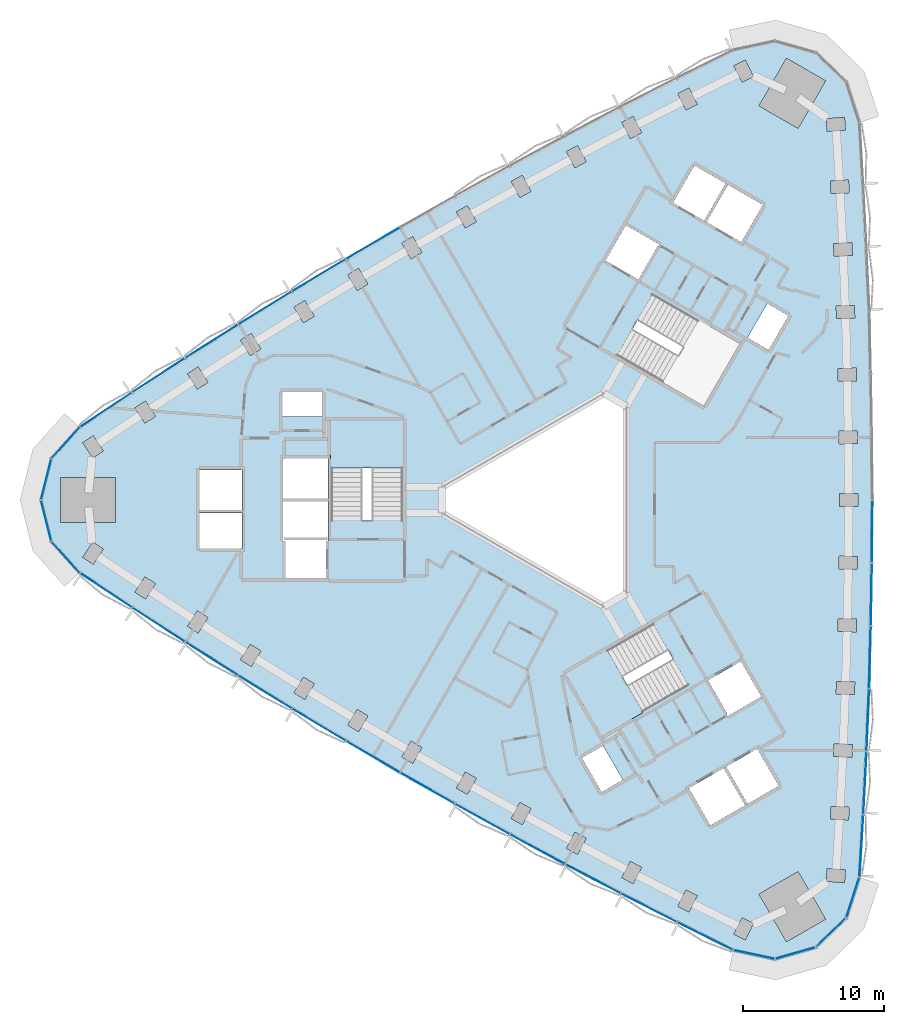
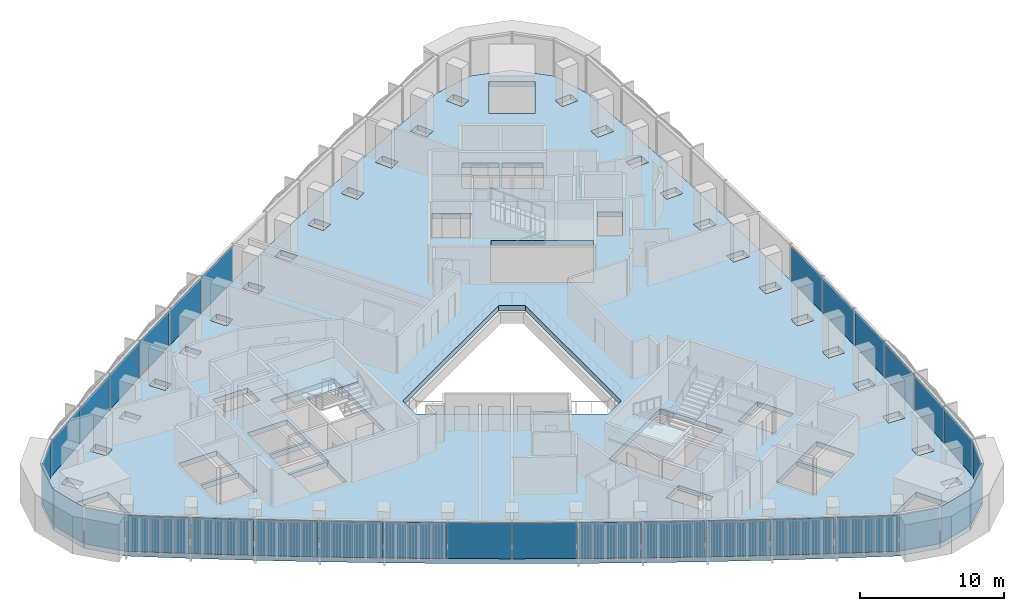
# One storey, part 6 of 15: 32 plates, 3 slabs, 5 elements without a shape of their own.
"""IFC4 building model written with IfcOpenShell, lengths in metres."""

from ifc_helpers import new_model, si_unit, direction, frame, origin, origin_2d, place, context, subcontext, project, spatial, polyline, rectangle, outline, extrude, material, layer, layer_set, type_object, element, aggregate, save


model = new_model("IFC4")

# Units and contexts
model_context = context("Model", 3, precision=1e-05, world=origin(), true_north=direction((0.0, 1.0)))
body_context = subcontext(model_context, "Body", "Model", "MODEL_VIEW")
ifc_project = project(units=[si_unit("LENGTHUNIT", "METRE"), si_unit("AREAUNIT", "SQUARE_METRE"), si_unit("VOLUMEUNIT", "CUBIC_METRE"), si_unit("PLANEANGLEUNIT", "RADIAN"), si_unit("MASSUNIT", "GRAM", prefix="KILO")], contexts=[model_context])

# Site, building, storey
site_placement = place(None, origin())
site = spatial("IfcSite", under=ifc_project, at=site_placement, CompositionType="ELEMENT")
building_placement = place(site_placement, origin())
building = spatial("IfcBuilding", under=site, at=building_placement, Name="Tamra Quay Hotel Tower", CompositionType="ELEMENT")
storey_placement = place(building_placement, frame((0.0, 0.0, 86.60009765625)))
storey = spatial("IfcBuildingStorey", under=building, at=storey_placement, Name="L20", CompositionType="ELEMENT", Elevation=86.60009765625)

# Stair, slab
ifc_material_1 = material(Name="Exit stair 2200 24 risers 150.0 going 342")
stair_type = type_object("IfcStairType", Name="Exit stair 2200 24 risers 150.0 going 342", PredefinedType="HALF_TURN_STAIR", material=ifc_material_1)
stair_1_placement = place(storey_placement, origin())
stair_1 = element("IfcStair", 1, at=stair_1_placement, inside=storey, type_object=stair_type, Name="L20 Exit stair ST3", PredefinedType="HALF_TURN_STAIR")
ifc_material_2 = material(Name="Concrete M70", Category="concrete")
ifc_layer_1 = layer(ifc_material_2, 0.175048828125)
ifc_layer_set_1 = layer_set([ifc_layer_1], Name="Concrete M70 stair landing 180")
slab_type_1 = type_object("IfcSlabType", Name="Concrete M70 stair landing 180", PredefinedType="LANDING", material=ifc_layer_set_1)
slab_1_placement = place(storey_placement, frame((0.0, 0.0, 1.625)))
slab_1 = element("IfcSlab", 2, at=slab_1_placement, type_object=slab_type_1, Name="ST3 landing 1", PredefinedType="LANDING", context=body_context, shape_type="SweptSolid", body=[
    extrude(outline(polyline([(-10.932373046875, 2.261962890625), (-10.932373046875, 5.679931640625), (-16.09130859375, 5.679931640625), (-16.09130859375, 2.261962890625), (-10.932373046875, 2.261962890625)])), origin(), (0.0, 0.0, 1.0), 0.1748046875),
])
aggregate(stair_1, [slab_1])

stair_2_placement = place(storey_placement, origin())
stair_2 = element("IfcStair", 3, at=stair_2_placement, inside=storey, type_object=stair_type, Name="L20 Exit stair ST2", PredefinedType="HALF_TURN_STAIR")
slab_2_placement = place(storey_placement, frame((0.0, 0.0, 1.625)))
slab_2 = element("IfcSlab", 4, at=slab_2_placement, type_object=slab_type_1, Name="ST2 landing 1", PredefinedType="LANDING", context=body_context, shape_type="SweptSolid", body=[
    extrude(outline(polyline([(3.50732421875, -10.5986328125), (0.547119140625, -12.3076171875), (3.126708984375, -16.775390625), (6.086669921875, -15.06640625), (3.50732421875, -10.5986328125)])), origin(), (0.0, 0.0, 1.0), 0.1748046875),
])
aggregate(stair_2, [slab_2])

# Slab
ifc_material_3 = material(Name="Concrete M60", Category="concrete")
ifc_layer_2 = layer(ifc_material_3, 0.425048828125)
ifc_layer_set_2 = layer_set([ifc_layer_2], Name="FLOOR SLAB PT 425")
slab_type_2 = type_object("IfcSlabType", Name="FLOOR SLAB PT 425", PredefinedType="FLOOR", material=ifc_layer_set_2)
slab_3_placement = place(storey_placement, frame((0.0, 0.0, -0.425048828125)))
element("IfcSlab", 5, at=slab_3_placement, inside=storey, type_object=slab_type_2, Name="SLAB-L20", PredefinedType="FLOOR", context=body_context, shape_type="SweptSolid", body=[
    extrude(outline(polyline([(21.696044921875, 22.307861328125), (21.92529296875, 17.849853515625), (22.103515625, 13.389404296875), (22.23095703125, 8.92724609375), (22.3076171875, 4.4638671875), (22.3330078125, 0.0), (22.3076171875, -4.4638671875), (22.23095703125, -8.92724609375), (22.103515625, -13.389404296875), (21.92529296875, -17.849853515625), (21.696044921875, -22.307861328125), (21.41650390625, -26.762451171875), (20.48779296875, -29.6328125), (18.31884765625, -31.729248046875), (15.418701171875, -32.559326171875), (12.46875, -31.928466796875), (8.47119140625, -29.943359375), (4.49560546875, -27.91259765625), (0.543701171875, -25.8369140625), (-3.38427734375, -23.71630859375), (-7.287841796875, -21.55078125), (-11.16650390625, -19.3408203125), (-15.01953125, -17.0869140625), (-18.8466796875, -14.7890625), (-22.647216796875, -12.447509765625), (-26.4208984375, -10.06298828125), (-30.167236328125, -7.635498046875), (-33.88525390625, -5.166015625), (-35.906494140625, -2.9267578125), (-36.6376953125, 0.0), (-35.906494140625, 2.9267578125), (-33.88525390625, 5.166015625), (-30.167236328125, 7.635498046875), (-26.4208984375, 10.06298828125), (-22.647216796875, 12.447509765625), (-18.8466796875, 14.7890625), (-15.01953125, 17.0869140625), (-11.16650390625, 19.3408203125), (-7.287841796875, 21.55078125), (-3.38427734375, 23.71630859375), (0.543701171875, 25.8369140625), (4.49560546875, 27.91259765625), (8.47119140625, 29.943359375), (12.46875, 31.928466796875), (15.418701171875, 32.559326171875), (18.31884765625, 31.729248046875), (20.48779296875, 29.6328125), (21.41650390625, 26.762451171875), (21.696044921875, 22.307861328125)]), holes=[polyline([(-14.884521484375, -15.9765625), (-14.1103515625, -16.435302734375), (-13.447509765625, -15.317138671875), (-14.2216796875, -14.858154296875), (-14.884521484375, -15.9765625)]), polyline([(-18.0234375, -12.569580078125), (-18.698974609375, -13.680419921875), (-17.929931640625, -14.14794921875), (-17.25439453125, -13.037353515625), (-18.0234375, -12.569580078125)]), polyline([(-21.798583984375, -10.23779296875), (-22.487060546875, -11.340576171875), (-21.723388671875, -11.817138671875), (-21.03515625, -10.714111328125), (-21.798583984375, -10.23779296875)]), polyline([(-25.547119140625, -7.86279296875), (-26.248046875, -8.9580078125), (-25.489990234375, -9.443115234375), (-24.789306640625, -8.34814453125), (-25.547119140625, -7.86279296875)]), polyline([(-29.268310546875, -5.445556640625), (-29.981689453125, -6.532470703125), (-29.229248046875, -7.026123046875), (-28.51611328125, -5.939453125), (-29.268310546875, -5.445556640625)]), polyline([(-16.3173828125, -2.85498046875), (-19.4072265625, -2.85498046875), (-19.4072265625, -2.89306640625), (-19.307373046875, -2.89306640625), (-19.307373046875, -5.544921875), (-16.417236328125, -5.544921875), (-16.417236328125, -2.89306640625), (-16.3173828125, -2.89306640625), (-16.3173828125, -2.85498046875)]), polyline([(-32.96240234375, -2.986083984375), (-33.6875, -4.06494140625), (-32.9404296875, -4.56689453125), (-32.215576171875, -3.488037109375), (-32.96240234375, -2.986083984375)]), polyline([(-22.3671875, -3.445068359375), (-22.3671875, -0.905029296875), (-25.4072265625, -0.905029296875), (-25.4072265625, -3.445068359375), (-22.3671875, -3.445068359375)]), polyline([(-19.417236328125, -2.89306640625), (-19.417236328125, -2.64501953125), (-16.307373046875, -2.64501953125), (-16.307373046875, -2.89306640625), (-16.26708984375, -2.89306640625), (-16.26708984375, -0.10498046875), (-19.45751953125, -0.10498046875), (-19.45751953125, -2.89306640625), (-19.417236328125, -2.89306640625)]), polyline([(-31.36376953125, 1.60009765625), (-35.263671875, 1.60009765625), (-35.263671875, -1.60009765625), (-31.36376953125, -1.60009765625), (-31.36376953125, 1.60009765625)]), polyline([(-25.4072265625, -0.695068359375), (-22.3671875, -0.695068359375), (-22.3671875, 2.14501953125), (-25.4072265625, 2.14501953125), (-25.4072265625, -0.695068359375)]), polyline([(-19.45751953125, 0.10498046875), (-16.26708984375, 0.10498046875), (-16.26708984375, 2.945068359375), (-19.45751953125, 2.945068359375), (-19.45751953125, 0.10498046875)]), polyline([(-16.036376953125, -1.455078125), (-10.9873046875, -1.455078125), (-10.9873046875, 5.625), (-16.036376953125, 5.625), (-16.036376953125, -1.455078125)]), polyline([(-32.215576171875, 3.488037109375), (-32.9404296875, 4.56689453125), (-33.6875, 4.06494140625), (-32.96240234375, 2.986083984375), (-32.215576171875, 3.488037109375)]), polyline([(-28.51611328125, 5.939453125), (-29.229248046875, 7.026123046875), (-29.981689453125, 6.532470703125), (-29.268310546875, 5.445556640625), (-28.51611328125, 5.939453125)]), polyline([(-19.50732421875, 7.64501953125), (-19.50732421875, 5.9150390625), (-16.71728515625, 5.9150390625), (-16.71728515625, 7.64501953125), (-19.50732421875, 7.64501953125)]), polyline([(-24.789306640625, 8.34814453125), (-25.489990234375, 9.443115234375), (-26.248046875, 8.9580078125), (-25.547119140625, 7.86279296875), (-24.789306640625, 8.34814453125)]), polyline([(-21.03515625, 10.714111328125), (-21.723388671875, 11.817138671875), (-22.487060546875, 11.340576171875), (-21.798583984375, 10.23779296875), (-21.03515625, 10.714111328125)]), polyline([(-17.25439453125, 13.037353515625), (-17.929931640625, 14.14794921875), (-18.698974609375, 13.680419921875), (-18.0234375, 12.569580078125), (-17.25439453125, 13.037353515625)]), polyline([(-13.447509765625, 15.317138671875), (-14.1103515625, 16.435302734375), (-14.884521484375, 15.9765625), (-14.2216796875, 14.858154296875), (-13.447509765625, 15.317138671875)]), polyline([(9.1142578125, -27.665283203125), (8.52978515625, -28.826416015625), (9.33349609375, -29.231201171875), (9.918212890625, -28.070068359375), (9.1142578125, -27.665283203125)]), polyline([(5.164794921875, -25.64208984375), (4.567138671875, -26.79638671875), (5.3662109375, -27.210205078125), (5.964111328125, -26.055908203125), (5.164794921875, -25.64208984375)]), polyline([(1.23876953125, -23.57421875), (0.627685546875, -24.721435546875), (1.422119140625, -25.14453125), (2.033203125, -23.9970703125), (1.23876953125, -23.57421875)]), polyline([(-2.663330078125, -21.46142578125), (-3.28759765625, -22.601806640625), (-2.498046875, -23.033935546875), (-1.873779296875, -21.8935546875), (-2.663330078125, -21.46142578125)]), polyline([(13.3056640625, -21.65576171875), (11.78564453125, -19.02294921875), (9.325927734375, -20.443115234375), (10.845947265625, -23.075927734375), (13.3056640625, -21.65576171875)]), polyline([(-6.541259765625, -19.304443359375), (-7.17822265625, -20.437744140625), (-6.393798828125, -20.878662109375), (-5.756591796875, -19.74560546875), (-6.541259765625, -19.304443359375)]), polyline([(1.73779296875, -18.300048828125), (3.1328125, -20.71630859375), (4.631103515625, -19.851318359375), (3.236083984375, -17.43505859375), (1.73779296875, -18.300048828125)]), polyline([(-10.394287109375, -17.103271484375), (-11.044189453125, -18.22900390625), (-10.264892578125, -18.67919921875), (-9.61474609375, -17.55322265625), (-10.394287109375, -17.103271484375)]), polyline([(10.68115234375, -12.790283203125), (12.05615234375, -15.171875), (11.969482421875, -15.2216796875), (12.03955078125, -15.343017578125), (14.455810546875, -13.947998046875), (13.0107421875, -11.4453125), (10.68115234375, -12.790283203125)]), polyline([(9.2783203125, -13.160400390625), (6.75390625, -8.78759765625), (0.622314453125, -12.32763671875), (3.146728515625, -16.7001953125), (9.2783203125, -13.160400390625)]), polyline([(-8.199951171875, 0.923828125), (-8.199951171875, -0.923828125), (3.300048828125, -7.563232421875), (4.89990234375, -6.639404296875), (4.89990234375, 6.639404296875), (3.300048828125, 7.563232421875), (-8.199951171875, 0.923828125)]), polyline([(6.758056640625, 14.615478515625), (4.2333984375, 10.242919921875), (10.364990234375, 6.702880859375), (12.889404296875, 11.075439453125), (6.758056640625, 14.615478515625)]), polyline([(5.736083984375, 15.645263671875), (7.111083984375, 18.02685546875), (7.19775390625, 17.976806640625), (7.267578125, 18.09814453125), (4.8515625, 19.4931640625), (3.406494140625, 16.990234375), (5.736083984375, 15.645263671875)]), polyline([(-9.61474609375, 17.55322265625), (-10.264892578125, 18.67919921875), (-11.044189453125, 18.22900390625), (-10.394287109375, 17.103271484375), (-9.61474609375, 17.55322265625)]), polyline([(-5.756591796875, 19.74560546875), (-6.393798828125, 20.878662109375), (-7.17822265625, 20.437744140625), (-6.541259765625, 19.304443359375), (-5.756591796875, 19.74560546875)]), polyline([(8.2001953125, 21.093017578125), (10.39990234375, 19.822998046875), (11.919921875, 22.455810546875), (9.72021484375, 23.725830078125), (8.2001953125, 21.093017578125)]), polyline([(-1.873779296875, 21.8935546875), (-2.498046875, 23.033935546875), (-3.28759765625, 22.601806640625), (-2.663330078125, 21.46142578125), (-1.873779296875, 21.8935546875)]), polyline([(2.033203125, 23.9970703125), (1.422119140625, 25.14453125), (0.627685546875, 24.721435546875), (1.23876953125, 23.57421875), (2.033203125, 23.9970703125)]), polyline([(5.964111328125, 26.055908203125), (5.3662109375, 27.210205078125), (4.567138671875, 26.79638671875), (5.164794921875, 25.64208984375), (5.964111328125, 26.055908203125)]), polyline([(9.918212890625, 28.070068359375), (9.33349609375, 29.231201171875), (8.52978515625, 28.826416015625), (9.1142578125, 27.665283203125), (9.918212890625, 28.070068359375)]), polyline([(13.0869140625, -29.643310546875), (12.51513671875, -30.810791015625), (13.323486328125, -31.206787109375), (13.895263671875, -30.039306640625), (13.0869140625, -29.643310546875)]), polyline([(14.296142578125, -27.9619140625), (16.24609375, -31.339111328125), (19.017333984375, -29.7392578125), (17.0673828125, -26.36181640625), (14.296142578125, -27.9619140625)]), polyline([(19.067138671875, -27.05322265625), (20.3642578125, -27.141845703125), (20.42529296875, -26.243896484375), (19.12841796875, -26.155517578125), (19.067138671875, -27.05322265625)]), polyline([(19.350341796875, -22.624267578125), (20.648193359375, -22.698486328125), (20.699462890625, -21.800048828125), (19.401611328125, -21.725830078125), (19.350341796875, -22.624267578125)]), polyline([(14.1669921875, -17.648193359375), (11.96728515625, -18.91796875), (13.487548828125, -21.55078125), (15.68701171875, -20.281005859375), (14.1669921875, -17.648193359375)]), polyline([(20.8818359375, -18.25244140625), (20.9228515625, -17.353515625), (19.624267578125, -17.2939453125), (19.5830078125, -18.193115234375), (20.8818359375, -18.25244140625)]), polyline([(19.765380859375, -13.75927734375), (21.064697265625, -13.803955078125), (21.095703125, -12.904541015625), (19.79638671875, -12.85986328125), (19.765380859375, -13.75927734375)]), polyline([(19.897216796875, -9.323974609375), (21.197021484375, -9.353759765625), (21.217529296875, -8.453857421875), (19.91796875, -8.424072265625), (19.897216796875, -9.323974609375)]), polyline([(19.978515625, -4.88720703125), (21.2783203125, -4.902099609375), (21.288818359375, -4.002197265625), (19.98876953125, -3.9873046875), (19.978515625, -4.88720703125)]), polyline([(20.009033203125, -0.449951171875), (21.30908203125, -0.449951171875), (21.30908203125, 0.449951171875), (20.009033203125, 0.449951171875), (20.009033203125, -0.449951171875)]), polyline([(19.98876953125, 3.9873046875), (21.288818359375, 4.002197265625), (21.2783203125, 4.902099609375), (19.978515625, 4.88720703125), (19.98876953125, 3.9873046875)]), polyline([(19.91796875, 8.424072265625), (21.217529296875, 8.453857421875), (21.197021484375, 9.353759765625), (19.897216796875, 9.323974609375), (19.91796875, 8.424072265625)]), polyline([(14.9794921875, 10.655029296875), (16.37451171875, 13.0712890625), (14.876220703125, 13.936279296875), (13.481201171875, 11.52001953125), (14.9794921875, 10.655029296875)]), polyline([(19.79638671875, 12.85986328125), (21.095703125, 12.904541015625), (21.064697265625, 13.803955078125), (19.765380859375, 13.75927734375), (19.79638671875, 12.85986328125)]), polyline([(19.624267578125, 17.2939453125), (20.9228515625, 17.353515625), (20.8818359375, 18.25244140625), (19.5830078125, 18.193115234375), (19.624267578125, 17.2939453125)]), polyline([(12.101806640625, 22.350830078125), (10.58154296875, 19.718017578125), (13.041259765625, 18.298095703125), (14.561279296875, 20.930908203125), (12.101806640625, 22.350830078125)]), polyline([(19.401611328125, 21.725830078125), (20.699462890625, 21.800048828125), (20.648193359375, 22.698486328125), (19.350341796875, 22.624267578125), (19.401611328125, 21.725830078125)]), polyline([(19.12841796875, 26.155517578125), (20.42529296875, 26.243896484375), (20.3642578125, 27.141845703125), (19.067138671875, 27.05322265625), (19.12841796875, 26.155517578125)]), polyline([(17.0673828125, 26.36181640625), (19.017333984375, 29.7392578125), (16.24609375, 31.339111328125), (14.296142578125, 27.9619140625), (17.0673828125, 26.36181640625)]), polyline([(13.895263671875, 30.039306640625), (13.323486328125, 31.206787109375), (12.51513671875, 30.810791015625), (13.0869140625, 29.643310546875), (13.895263671875, 30.039306640625)])]), origin(), (0.0, 0.0, 1.0), 0.425048828125),
])

# Curtain wall, plates
ifc_material_4 = material(Name="Aluminium 6063 anodised dark grey", Category="aluminium")
curtain_wall_type_1 = type_object("IfcCurtainWallType", Name="CW1 CURTAIN WALL", PredefinedType="NOTDEFINED", material=ifc_material_4)
curtain_wall_1_placement = place(storey_placement, origin())
curtain_wall_1 = element("IfcCurtainWall", 6, at=curtain_wall_1_placement, inside=storey, type_object=curtain_wall_type_1, Name="CW1 east face L20", PredefinedType="NOTDEFINED")
ifc_material_5 = material(Name="Glass clear laminated low-iron", Category="glass")
ifc_layer_3 = layer(ifc_material_5, 0.033935546875)
ifc_layer_set_3 = layer_set([ifc_layer_3], Name="GLASS PANEL CW1 Z2")
plate_type_1 = type_object("IfcPlateType", Name="GLASS PANEL CW1 Z2", PredefinedType="CURTAIN_PANEL", material=ifc_layer_set_3)
plate_1_placement = place(storey_placement, frame((21.556396484375, -24.53515625, 0.0), z_axis=(0.0, 0.0, 1.0), x_axis=(0.062670105733, 0.998034296929, 0.0)))
plate_1 = element("IfcPlate", 7, at=plate_1_placement, type_object=plate_type_1, Name="CW1 glass L20.E.1", PredefinedType="CURTAIN_PANEL", context=body_context, shape_type="SweptSolid", body=[
    extrude(rectangle(XDim=4.363525390625, YDim=0.033935546875, at=origin_2d()), origin(), (0.0, 0.0, 1.0), 3.034912109375),
])
plate_2_placement = place(storey_placement, frame((21.810791015625, -20.078857421875, 0.0), z_axis=(0.0, 0.0, 1.0), x_axis=(0.051320550821, 0.998682232276, 0.0)))
plate_2 = element("IfcPlate", 8, at=plate_2_placement, type_object=plate_type_1, Name="CW1 glass L20.E.2", PredefinedType="CURTAIN_PANEL", context=body_context, shape_type="SweptSolid", body=[
    extrude(rectangle(XDim=4.364013671875, YDim=0.033935546875, at=origin_2d()), origin(), (0.0, 0.0, 1.0), 3.034912109375),
])
plate_3_placement = place(storey_placement, frame((22.014404296875, -15.61962890625, 0.0), z_axis=(0.0, 0.0, 1.0), x_axis=(0.039943755239, 0.999201929751, 0.0)))
plate_3 = element("IfcPlate", 9, at=plate_3_placement, type_object=plate_type_1, Name="CW1 glass L20.E.3", PredefinedType="CURTAIN_PANEL", context=body_context, shape_type="SweptSolid", body=[
    extrude(rectangle(XDim=4.364013671875, YDim=0.033935546875, at=origin_2d()), origin(), (0.0, 0.0, 1.0), 3.034912109375),
])
plate_4_placement = place(storey_placement, frame((22.167236328125, -11.158203125, 0.0), z_axis=(0.0, 0.0, 1.0), x_axis=(0.028546238865, 0.999592473084, 0.0)))
plate_4 = element("IfcPlate", 10, at=plate_4_placement, type_object=plate_type_1, Name="CW1 glass L20.E.4", PredefinedType="CURTAIN_PANEL", context=body_context, shape_type="SweptSolid", body=[
    extrude(rectangle(XDim=4.364013671875, YDim=0.033935546875, at=origin_2d()), origin(), (0.0, 0.0, 1.0), 3.034912109375),
])
plate_5_placement = place(storey_placement, frame((22.269287109375, -6.695556640625, 0.0), z_axis=(0.0, 0.0, 1.0), x_axis=(0.017133900698, 0.999853203949, 0.0)))
plate_5 = element("IfcPlate", 11, at=plate_5_placement, type_object=plate_type_1, Name="CW1 glass L20.E.5", PredefinedType="CURTAIN_PANEL", context=body_context, shape_type="SweptSolid", body=[
    extrude(rectangle(XDim=4.364013671875, YDim=0.033935546875, at=origin_2d()), origin(), (0.0, 0.0, 1.0), 3.034912109375),
])
plate_6_placement = place(storey_placement, frame((22.3203125, -2.23193359375, 0.0), z_axis=(0.0, 0.0, 1.0), x_axis=(0.005712677225, 0.999983682526, 0.0)))
plate_6 = element("IfcPlate", 12, at=plate_6_placement, type_object=plate_type_1, Name="CW1 glass L20.E.6", PredefinedType="CURTAIN_PANEL", context=body_context, shape_type="SweptSolid", body=[
    extrude(rectangle(XDim=4.364013671875, YDim=0.033935546875, at=origin_2d()), origin(), (0.0, 0.0, 1.0), 3.034912109375),
])
aggregate(curtain_wall_1, [plate_1, plate_2, plate_3, plate_4, plate_5, plate_6])

curtain_wall_type_2 = type_object("IfcCurtainWallType", Name="CW2 CURTAIN WALL", PredefinedType="NOTDEFINED", material=ifc_material_4)
curtain_wall_2_placement = place(storey_placement, origin())
curtain_wall_2 = element("IfcCurtainWall", 13, at=curtain_wall_2_placement, inside=storey, type_object=curtain_wall_type_2, Name="CW2 north-west face L20", PredefinedType="NOTDEFINED")
ifc_layer_4 = layer(ifc_material_5, 0.033935546875)
ifc_layer_set_4 = layer_set([ifc_layer_4], Name="GLASS PANEL CW2 Z2")
plate_type_2 = type_object("IfcPlateType", Name="GLASS PANEL CW2 Z2", PredefinedType="CURTAIN_PANEL", material=ifc_layer_set_4)
plate_7_placement = place(storey_placement, frame((-13.093017578125, 18.2138671875, 0.0), z_axis=(0.0, 0.0, 1.0), x_axis=(-0.863154933825, -0.504939164863, 0.0)))
plate_7 = element("IfcPlate", 14, at=plate_7_placement, type_object=plate_type_2, Name="CW2 glass L20.NW.7", PredefinedType="CURTAIN_PANEL", context=body_context, shape_type="SweptSolid", body=[
    extrude(rectangle(XDim=4.364013671875, YDim=0.033935546875, at=origin_2d()), origin(), (0.0, 0.0, 1.0), 3.034912109375),
])
plate_8_placement = place(storey_placement, frame((-16.93310546875, 15.93798828125, 0.0), z_axis=(0.0, 0.0, 1.0), x_axis=(-0.857331324326, -0.514764995245, 0.0)))
plate_8 = element("IfcPlate", 15, at=plate_8_placement, type_object=plate_type_2, Name="CW2 glass L20.NW.8", PredefinedType="CURTAIN_PANEL", context=body_context, shape_type="SweptSolid", body=[
    extrude(rectangle(XDim=4.364013671875, YDim=0.033935546875, at=origin_2d()), origin(), (0.0, 0.0, 1.0), 3.034912109375),
])
plate_9_placement = place(storey_placement, frame((-20.7470703125, 13.6181640625, 0.0), z_axis=(0.0, 0.0, 1.0), x_axis=(-0.85139935569, -0.524518004582, 0.0)))
plate_9 = element("IfcPlate", 16, at=plate_9_placement, type_object=plate_type_2, Name="CW2 glass L20.NW.9", PredefinedType="CURTAIN_PANEL", context=body_context, shape_type="SweptSolid", body=[
    extrude(rectangle(XDim=4.364013671875, YDim=0.033935546875, at=origin_2d()), origin(), (0.0, 0.0, 1.0), 3.034912109375),
])
plate_10_placement = place(storey_placement, frame((-24.5341796875, 11.255126953125, 0.0), z_axis=(0.0, 0.0, 1.0), x_axis=(-0.845362377055, -0.534193271635, 0.0)))
plate_10 = element("IfcPlate", 17, at=plate_10_placement, type_object=plate_type_2, Name="CW2 glass L20.NW.10", PredefinedType="CURTAIN_PANEL", context=body_context, shape_type="SweptSolid", body=[
    extrude(rectangle(XDim=4.364013671875, YDim=0.033935546875, at=origin_2d()), origin(), (0.0, 0.0, 1.0), 3.034912109375),
])
plate_11_placement = place(storey_placement, frame((-28.294189453125, 8.84912109375, 0.0), z_axis=(0.0, 0.0, 1.0), x_axis=(-0.839223908048, -0.543786016885, 0.0)))
plate_11 = element("IfcPlate", 18, at=plate_11_placement, type_object=plate_type_2, Name="CW2 glass L20.NW.11", PredefinedType="CURTAIN_PANEL", context=body_context, shape_type="SweptSolid", body=[
    extrude(rectangle(XDim=4.364013671875, YDim=0.033935546875, at=origin_2d()), origin(), (0.0, 0.0, 1.0), 3.034912109375),
])
plate_12_placement = place(storey_placement, frame((-32.026123046875, 6.400634765625, 0.0), z_axis=(0.0, 0.0, 1.0), x_axis=(-0.832988002122, -0.553291052088, 0.0)))
plate_12 = element("IfcPlate", 19, at=plate_12_placement, type_object=plate_type_2, Name="CW2 glass L20.NW.12", PredefinedType="CURTAIN_PANEL", context=body_context, shape_type="SweptSolid", body=[
    extrude(rectangle(XDim=4.363525390625, YDim=0.033935546875, at=origin_2d()), origin(), (0.0, 0.0, 1.0), 3.034912109375),
])
plate_13_placement = place(storey_placement, frame((-34.89599609375, 4.04638671875, 0.0), z_axis=(0.0, 0.0, 1.0), x_axis=(-0.670087934649, -0.742281725383, 0.0)))
plate_13 = element("IfcPlate", 20, at=plate_13_placement, type_object=plate_type_2, Name="CW2 glass L20.NW.13", PredefinedType="CURTAIN_PANEL", context=body_context, shape_type="SweptSolid", body=[
    extrude(rectangle(XDim=2.916748046875, YDim=0.033935546875, at=origin_2d()), origin(), (0.0, 0.0, 1.0), 3.034912109375),
])
plate_14_placement = place(storey_placement, frame((-36.272216796875, 1.46337890625, 0.0), z_axis=(0.0, 0.0, 1.0), x_axis=(-0.242338764242, -0.970191694123, 0.0)))
plate_14 = element("IfcPlate", 21, at=plate_14_placement, type_object=plate_type_2, Name="CW2 glass L20.NW.14", PredefinedType="CURTAIN_PANEL", context=body_context, shape_type="SweptSolid", body=[
    extrude(rectangle(XDim=2.916748046875, YDim=0.033935546875, at=origin_2d()), origin(), (0.0, 0.0, 1.0), 3.034912109375),
])
plate_15_placement = place(storey_placement, frame((-36.272216796875, -1.46337890625, 0.0), z_axis=(0.0, 0.0, 1.0), x_axis=(0.242338764242, -0.970191694123, 0.0)))
plate_15 = element("IfcPlate", 22, at=plate_15_placement, type_object=plate_type_2, Name="CW2 glass L20.NW.15", PredefinedType="CURTAIN_PANEL", context=body_context, shape_type="SweptSolid", body=[
    extrude(rectangle(XDim=2.916748046875, YDim=0.033935546875, at=origin_2d()), origin(), (0.0, 0.0, 1.0), 3.034912109375),
])
plate_16_placement = place(storey_placement, frame((-34.89599609375, -4.04638671875, 0.0), z_axis=(0.0, 0.0, 1.0), x_axis=(0.670087934649, -0.742281725383, 0.0)))
plate_16 = element("IfcPlate", 23, at=plate_16_placement, type_object=plate_type_2, Name="CW2 glass L20.NW.16", PredefinedType="CURTAIN_PANEL", context=body_context, shape_type="SweptSolid", body=[
    extrude(rectangle(XDim=2.916748046875, YDim=0.033935546875, at=origin_2d()), origin(), (0.0, 0.0, 1.0), 3.034912109375),
])
aggregate(curtain_wall_2, [plate_7, plate_8, plate_9, plate_10, plate_11, plate_12, plate_13, plate_14, plate_15, plate_16])

curtain_wall_type_3 = type_object("IfcCurtainWallType", Name="CW3 CURTAIN WALL", PredefinedType="NOTDEFINED", material=ifc_material_4)
curtain_wall_3_placement = place(storey_placement, origin())
curtain_wall_3 = element("IfcCurtainWall", 24, at=curtain_wall_3_placement, inside=storey, type_object=curtain_wall_type_3, Name="CW3 south-west face L20", PredefinedType="NOTDEFINED")
ifc_layer_5 = layer(ifc_material_5, 0.033935546875)
ifc_layer_set_5 = layer_set([ifc_layer_5], Name="GLASS PANEL CW3 Z2")
plate_type_3 = type_object("IfcPlateType", Name="GLASS PANEL CW3 Z2", PredefinedType="CURTAIN_PANEL", material=ifc_layer_set_5)
plate_17_placement = place(storey_placement, frame((-32.026123046875, -6.400634765625, 0.0), z_axis=(0.0, 0.0, 1.0), x_axis=(0.832988002122, -0.553291052088, 0.0)))
plate_17 = element("IfcPlate", 25, at=plate_17_placement, type_object=plate_type_3, Name="CW3 glass L20.SW.1", PredefinedType="CURTAIN_PANEL", context=body_context, shape_type="SweptSolid", body=[
    extrude(rectangle(XDim=4.363525390625, YDim=0.033935546875, at=origin_2d()), origin(), (0.0, 0.0, 1.0), 3.034912109375),
])
plate_18_placement = place(storey_placement, frame((-28.294189453125, -8.84912109375, 0.0), z_axis=(0.0, 0.0, 1.0), x_axis=(0.839223908048, -0.543786016885, 0.0)))
plate_18 = element("IfcPlate", 26, at=plate_18_placement, type_object=plate_type_3, Name="CW3 glass L20.SW.2", PredefinedType="CURTAIN_PANEL", context=body_context, shape_type="SweptSolid", body=[
    extrude(rectangle(XDim=4.364013671875, YDim=0.033935546875, at=origin_2d()), origin(), (0.0, 0.0, 1.0), 3.034912109375),
])
plate_19_placement = place(storey_placement, frame((-24.5341796875, -11.255126953125, 0.0), z_axis=(0.0, 0.0, 1.0), x_axis=(0.845362377055, -0.534193271635, 0.0)))
plate_19 = element("IfcPlate", 27, at=plate_19_placement, type_object=plate_type_3, Name="CW3 glass L20.SW.3", PredefinedType="CURTAIN_PANEL", context=body_context, shape_type="SweptSolid", body=[
    extrude(rectangle(XDim=4.364013671875, YDim=0.033935546875, at=origin_2d()), origin(), (0.0, 0.0, 1.0), 3.034912109375),
])
plate_20_placement = place(storey_placement, frame((-20.7470703125, -13.6181640625, 0.0), z_axis=(0.0, 0.0, 1.0), x_axis=(0.85139935569, -0.524518004582, 0.0)))
plate_20 = element("IfcPlate", 28, at=plate_20_placement, type_object=plate_type_3, Name="CW3 glass L20.SW.4", PredefinedType="CURTAIN_PANEL", context=body_context, shape_type="SweptSolid", body=[
    extrude(rectangle(XDim=4.364013671875, YDim=0.033935546875, at=origin_2d()), origin(), (0.0, 0.0, 1.0), 3.034912109375),
])
plate_21_placement = place(storey_placement, frame((-16.93310546875, -15.93798828125, 0.0), z_axis=(0.0, 0.0, 1.0), x_axis=(0.857331324326, -0.514764995245, 0.0)))
plate_21 = element("IfcPlate", 29, at=plate_21_placement, type_object=plate_type_3, Name="CW3 glass L20.SW.5", PredefinedType="CURTAIN_PANEL", context=body_context, shape_type="SweptSolid", body=[
    extrude(rectangle(XDim=4.364013671875, YDim=0.033935546875, at=origin_2d()), origin(), (0.0, 0.0, 1.0), 3.034912109375),
])
plate_22_placement = place(storey_placement, frame((-13.093017578125, -18.2138671875, 0.0), z_axis=(0.0, 0.0, 1.0), x_axis=(0.863154933825, -0.504939164863, 0.0)))
plate_22 = element("IfcPlate", 30, at=plate_22_placement, type_object=plate_type_3, Name="CW3 glass L20.SW.6", PredefinedType="CURTAIN_PANEL", context=body_context, shape_type="SweptSolid", body=[
    extrude(rectangle(XDim=4.364013671875, YDim=0.033935546875, at=origin_2d()), origin(), (0.0, 0.0, 1.0), 3.034912109375),
])
plate_23_placement = place(storey_placement, frame((-9.227294921875, -20.44580078125, 0.0), z_axis=(0.0, 0.0, 1.0), x_axis=(0.86886761105, -0.495044517663, 0.0)))
plate_23 = element("IfcPlate", 31, at=plate_23_placement, type_object=plate_type_3, Name="CW3 glass L20.SW.7", PredefinedType="CURTAIN_PANEL", context=body_context, shape_type="SweptSolid", body=[
    extrude(rectangle(XDim=4.364013671875, YDim=0.033935546875, at=origin_2d()), origin(), (0.0, 0.0, 1.0), 3.034912109375),
])
plate_24_placement = place(storey_placement, frame((-5.336181640625, -22.633544921875, 0.0), z_axis=(0.0, 0.0, 1.0), x_axis=(0.874465225024, -0.485088208704, 0.0)))
plate_24 = element("IfcPlate", 32, at=plate_24_placement, type_object=plate_type_3, Name="CW3 glass L20.SW.8", PredefinedType="CURTAIN_PANEL", context=body_context, shape_type="SweptSolid", body=[
    extrude(rectangle(XDim=4.364013671875, YDim=0.033935546875, at=origin_2d()), origin(), (0.0, 0.0, 1.0), 3.034912109375),
])
plate_25_placement = place(storey_placement, frame((-1.420166015625, -24.776611328125, 0.0), z_axis=(0.0, 0.0, 1.0), x_axis=(0.879945594555, -0.475074468502, 0.0)))
plate_25 = element("IfcPlate", 33, at=plate_25_placement, type_object=plate_type_3, Name="CW3 glass L20.SW.9", PredefinedType="CURTAIN_PANEL", context=body_context, shape_type="SweptSolid", body=[
    extrude(rectangle(XDim=4.364013671875, YDim=0.033935546875, at=origin_2d()), origin(), (0.0, 0.0, 1.0), 3.034912109375),
])
plate_26_placement = place(storey_placement, frame((2.519775390625, -26.874755859375, 0.0), z_axis=(0.0, 0.0, 1.0), x_axis=(0.885306132294, -0.465008658116, 0.0)))
plate_26 = element("IfcPlate", 34, at=plate_26_placement, type_object=plate_type_3, Name="CW3 glass L20.SW.10", PredefinedType="CURTAIN_PANEL", context=body_context, shape_type="SweptSolid", body=[
    extrude(rectangle(XDim=4.364013671875, YDim=0.033935546875, at=origin_2d()), origin(), (0.0, 0.0, 1.0), 3.034912109375),
])
plate_27_placement = place(storey_placement, frame((6.4833984375, -28.927978515625, 0.0), z_axis=(0.0, 0.0, 1.0), x_axis=(0.89054445887, -0.454896215391, 0.0)))
plate_27 = element("IfcPlate", 35, at=plate_27_placement, type_object=plate_type_3, Name="CW3 glass L20.SW.11", PredefinedType="CURTAIN_PANEL", context=body_context, shape_type="SweptSolid", body=[
    extrude(rectangle(XDim=4.364013671875, YDim=0.033935546875, at=origin_2d()), origin(), (0.0, 0.0, 1.0), 3.034912109375),
])
plate_28_placement = place(storey_placement, frame((10.469970703125, -30.935791015625, 0.0), z_axis=(0.0, 0.0, 1.0), x_axis=(0.895658107856, -0.444743244842, 0.0)))
plate_28 = element("IfcPlate", 36, at=plate_28_placement, type_object=plate_type_3, Name="CW3 glass L20.SW.12", PredefinedType="CURTAIN_PANEL", context=body_context, shape_type="SweptSolid", body=[
    extrude(rectangle(XDim=4.363525390625, YDim=0.033935546875, at=origin_2d()), origin(), (0.0, 0.0, 1.0), 3.034912109375),
])
plate_29_placement = place(storey_placement, frame((13.94384765625, -32.243896484375, 0.0), z_axis=(0.0, 0.0, 1.0), x_axis=(0.977878798271, -0.209172311484, 0.0)))
plate_29 = element("IfcPlate", 37, at=plate_29_placement, type_object=plate_type_3, Name="CW3 glass L20.SW.13", PredefinedType="CURTAIN_PANEL", context=body_context, shape_type="SweptSolid", body=[
    extrude(rectangle(XDim=2.916748046875, YDim=0.033935546875, at=origin_2d()), origin(), (0.0, 0.0, 1.0), 3.034912109375),
])
plate_30_placement = place(storey_placement, frame((16.868896484375, -32.144287109375, 0.0), z_axis=(0.0, 0.0, 1.0), x_axis=(0.961380035772, 0.275224320906, 0.0)))
plate_30 = element("IfcPlate", 38, at=plate_30_placement, type_object=plate_type_3, Name="CW3 glass L20.SW.14", PredefinedType="CURTAIN_PANEL", context=body_context, shape_type="SweptSolid", body=[
    extrude(rectangle(XDim=2.916748046875, YDim=0.033935546875, at=origin_2d()), origin(), (0.0, 0.0, 1.0), 3.034912109375),
])
plate_31_placement = place(storey_placement, frame((19.4033203125, -30.680908203125, 0.0), z_axis=(0.0, 0.0, 1.0), x_axis=(0.71904127153, 0.694967373217, 0.0)))
plate_31 = element("IfcPlate", 39, at=plate_31_placement, type_object=plate_type_3, Name="CW3 glass L20.SW.15", PredefinedType="CURTAIN_PANEL", context=body_context, shape_type="SweptSolid", body=[
    extrude(rectangle(XDim=2.916748046875, YDim=0.033935546875, at=origin_2d()), origin(), (0.0, 0.0, 1.0), 3.034912109375),
])
plate_32_placement = place(storey_placement, frame((20.9521484375, -28.197509765625, 0.0), z_axis=(0.0, 0.0, 1.0), x_axis=(0.307790863622, 0.951454036867, 0.0)))
plate_32 = element("IfcPlate", 40, at=plate_32_placement, type_object=plate_type_3, Name="CW3 glass L20.SW.16", PredefinedType="CURTAIN_PANEL", context=body_context, shape_type="SweptSolid", body=[
    extrude(rectangle(XDim=2.916748046875, YDim=0.033935546875, at=origin_2d()), origin(), (0.0, 0.0, 1.0), 3.034912109375),
])
aggregate(curtain_wall_3, [plate_17, plate_18, plate_19, plate_20, plate_21, plate_22, plate_23, plate_24, plate_25, plate_26, plate_27, plate_28, plate_29, plate_30, plate_31, plate_32])

save(model, "model.ifc")
